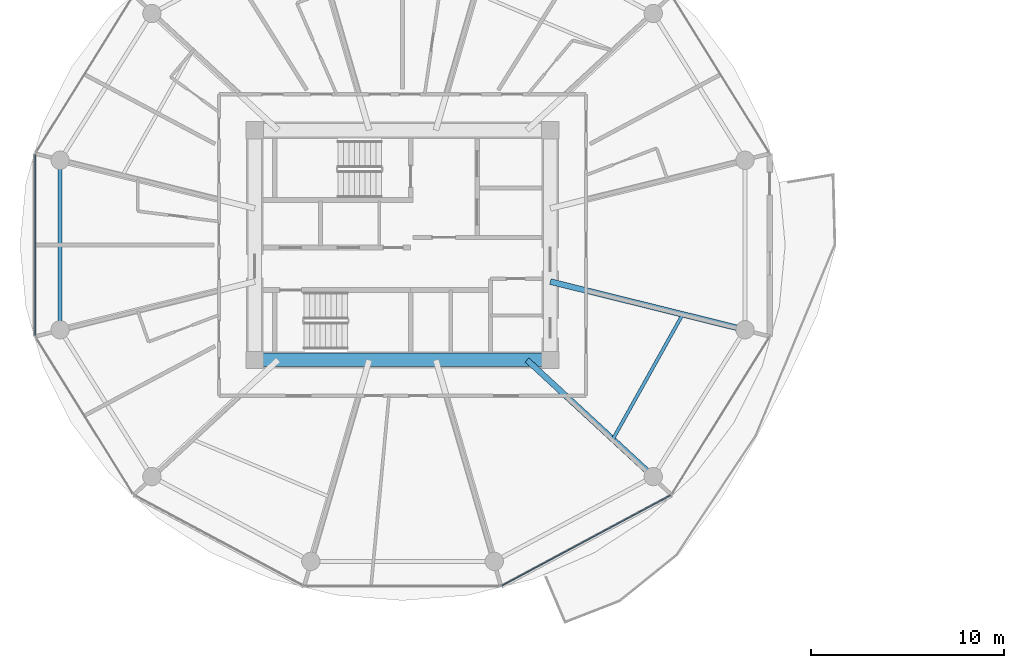
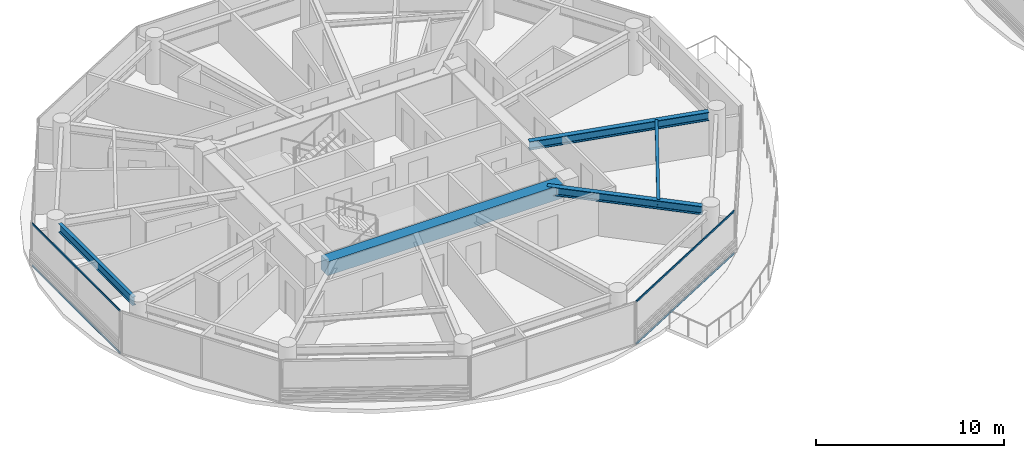
# One storey, part 3 of 27: 5 beams, 4 members, 2 elements without a shape of their own.
"""IFC4 building model written with IfcOpenShell, lengths in metres."""

from ifc_helpers import new_model, si_unit, direction, frame, origin, origin_2d, place, context, subcontext, project, spatial, rectangle, i_section, extrude, source, transform, mapped, material, layer, layer_set, material_profile, profile_set, type_object, type_shapes, element, aggregate, save


model = new_model("IFC4")

# Units and contexts
model_context = context("Model", 3, precision=1e-05, world=origin(), true_north=direction((0.0, 1.0)))
body_context = subcontext(model_context, "Body", "Model", "MODEL_VIEW")
ifc_project = project(units=[si_unit("LENGTHUNIT", "METRE"), si_unit("AREAUNIT", "SQUARE_METRE"), si_unit("VOLUMEUNIT", "CUBIC_METRE"), si_unit("PLANEANGLEUNIT", "RADIAN"), si_unit("MASSUNIT", "GRAM", prefix="KILO")], contexts=[model_context])

# Site, building, storey
site_placement = place(None, origin())
site = spatial("IfcSite", under=ifc_project, at=site_placement, CompositionType="ELEMENT")
building_placement = place(site_placement, origin())
building = spatial("IfcBuilding", under=site, at=building_placement, Name="Norrkilde Senior Care Towers", CompositionType="ELEMENT")
storey_placement = place(building_placement, frame((0.0, 0.0, 58.199951171875)))
storey = spatial("IfcBuildingStorey", under=building, at=storey_placement, Name="L17", CompositionType="ELEMENT", Elevation=58.199951171875)

# Beams
ifc_material_1 = material(Name="Concrete C60/75", Category="concrete")
ifc_material_profile_1 = material_profile(ifc_material_1, rectangle(XDim=0.699951171875, YDim=0.89990234375, at=origin_2d()), Name="RC BM 700x900")
ifc_profile_set_1 = profile_set([ifc_material_profile_1], Name="Concrete C60/75")
beam_type_1 = type_object("IfcBeamType", Name="Core Coupling Girder 700x900", PredefinedType="USERDEFINED", material=ifc_profile_set_1)
shared_shape_1 = source(origin(), body_context, "Body", "SweptSolid", [
    extrude(rectangle(XDim=0.699951171875, YDim=0.89990234375, at=origin_2d()), origin(), (0.0, 0.0, 1.0), 14.43994140625),
])
type_shapes(beam_type_1, [shared_shape_1])
beam_1_placement = place(storey_placement, frame((-35.219970703125, -5.949951171875, 2.340087890625), z_axis=(1.0, 0.0, 0.0), x_axis=(0.0, 1.0, 0.0)))
element("IfcBeam", 1, at=beam_1_placement, inside=storey, type_object=beam_type_1, Name="L17 Core W S Coupling Girder", ObjectType="GIRDER", PredefinedType="USERDEFINED", context=body_context, shape_type="MappedRepresentation", body=[
    mapped(shared_shape_1, transform((0.0, 0.0, 0.0), x_axis=(1.0, 0.0, 0.0), y_axis=(0.0, 1.0, 0.0), z_axis=(0.0, 0.0, 1.0), scale=1.0)),
])
ifc_material_2 = material(Name="Steel S355", Category="steel")
ifc_material_profile_2 = material_profile(ifc_material_2, i_section(OverallWidth=0.300048828125, OverallDepth=0.550048828125, WebThickness=0.014892578125, FlangeThickness=0.029052734375, FilletRadius=0.027099609375, at=origin_2d()), Name="HEB 550")
ifc_profile_set_2 = profile_set([ifc_material_profile_2], Name="Steel S355")
beam_type_2 = type_object("IfcBeamType", Name="Radial Floor Beam Z1 HEB550", PredefinedType="BEAM", material=ifc_profile_set_2)
shared_shape_2 = source(origin(), body_context, "Body", "SweptSolid", [
    extrude(i_section(OverallWidth=0.300048828125, OverallDepth=0.550048828125, WebThickness=0.014892578125, FlangeThickness=0.029052734375, FilletRadius=0.027099609375, at=origin_2d()), origin(), (0.0, 0.0, 1.0), 9.94384765625),
])
beam_2_placement = place(storey_placement, frame((-20.35009765625, -1.893310546875, 2.51513671875), z_axis=(0.970707425182, -0.240264634718, 0.0), x_axis=(0.240264634718, 0.970707425182, 0.0)))
element("IfcBeam", 2, at=beam_2_placement, inside=storey, type_object=beam_type_2, Name="L17 Drum W Radial Floor Beam 12", PredefinedType="BEAM", context=body_context, shape_type="MappedRepresentation", body=[
    mapped(shared_shape_2, transform((0.0, 0.0, 0.0), x_axis=(1.0, 0.0, 0.0), y_axis=(0.0, 1.0, 0.0), z_axis=(0.0, 0.0, 1.0), scale=1.0)),
])
shared_shape_3 = source(origin(), body_context, "Body", "SweptSolid", [
    extrude(i_section(OverallWidth=0.300048828125, OverallDepth=0.550048828125, WebThickness=0.014892578125, FlangeThickness=0.029052734375, FilletRadius=0.027099609375, at=origin_2d()), origin(), (0.0, 0.0, 1.0), 8.459716796875),
])
type_shapes(beam_type_2, [shared_shape_2, shared_shape_3])
beam_3_placement = place(storey_placement, frame((-21.55859375, -5.949951171875, 2.51513671875), z_axis=(0.734573269108, -0.678529374686, 0.0), x_axis=(0.678529374686, 0.734573269108, 0.0)))
element("IfcBeam", 3, at=beam_3_placement, inside=storey, type_object=beam_type_2, Name="L17 Drum W Radial Floor Beam 11", PredefinedType="BEAM", context=body_context, shape_type="MappedRepresentation", body=[
    mapped(shared_shape_3, transform((0.0, 0.0, 0.0), x_axis=(1.0, 0.0, 0.0), y_axis=(0.0, 1.0, 0.0), z_axis=(0.0, 0.0, 1.0), scale=1.0)),
])
ifc_material_profile_3 = material_profile(ifc_material_2, i_section(OverallWidth=0.2099609375, OverallDepth=0.550048828125, WebThickness=0.010986328125, FlangeThickness=0.01708984375, FilletRadius=0.02392578125, at=origin_2d()), Name="IPE 550")
ifc_profile_set_3 = profile_set([ifc_material_profile_3], Name="Steel S355")
beam_type_3 = type_object("IfcBeamType", Name="Perimeter Ring Spandrel Z1 IPE550", PredefinedType="SPANDREL", material=ifc_profile_set_3)
shared_shape_4 = source(origin(), body_context, "Body", "SweptSolid", [
    extrude(i_section(OverallWidth=0.2099609375, OverallDepth=0.550048828125, WebThickness=0.010986328125, FlangeThickness=0.01708984375, FilletRadius=0.02392578125, at=origin_2d()), origin(), (0.0, 0.0, 1.0), 7.90380859375),
])
type_shapes(beam_type_3, [shared_shape_4])
beam_4_placement = place(storey_placement, frame((-45.724853515625, 3.951904296875, 2.51513671875), z_axis=(0.0, -1.0, 0.0), x_axis=(1.0, 0.0, 0.0)))
element("IfcBeam", 4, at=beam_4_placement, inside=storey, type_object=beam_type_3, Name="L17 Drum W Perimeter Spandrel 06", PredefinedType="SPANDREL", context=body_context, shape_type="MappedRepresentation", body=[
    mapped(shared_shape_4, transform((0.0, 0.0, 0.0), x_axis=(1.0, 0.0, 0.0), y_axis=(0.0, 1.0, 0.0), z_axis=(0.0, 0.0, 1.0), scale=1.0)),
])
ifc_material_profile_4 = material_profile(ifc_material_2, i_section(OverallWidth=0.169921875, OverallDepth=0.360107421875, WebThickness=0.008056640625, FlangeThickness=0.0126953125, FilletRadius=0.01806640625, at=origin_2d()), Name="IPE 360")
ifc_profile_set_4 = profile_set([ifc_material_profile_4], Name="Steel S355")
beam_type_4 = type_object("IfcBeamType", Name="Secondary Floor Joist IPE360", PredefinedType="JOIST", material=ifc_profile_set_4)
shared_shape_5 = source(origin(), body_context, "Body", "SweptSolid", [
    extrude(i_section(OverallWidth=0.169921875, OverallDepth=0.360107421875, WebThickness=0.008056640625, FlangeThickness=0.0126953125, FilletRadius=0.01806640625, at=origin_2d()), origin(), (0.0, 0.0, 1.0), 7.40771484375),
])
type_shapes(beam_type_4, [shared_shape_5])
beam_5_placement = place(storey_placement, frame((-17.115478515625, -10.05419921875, 2.610107421875), z_axis=(0.488167754092, 0.872749817453, 0.0), x_axis=(-0.872749817453, 0.488167754092, 0.0)))
element("IfcBeam", 5, at=beam_5_placement, inside=storey, type_object=beam_type_4, Name="L17 Drum W Secondary Floor Joist 4", PredefinedType="JOIST", context=body_context, shape_type="MappedRepresentation", body=[
    mapped(shared_shape_5, transform((0.0, 0.0, 0.0), x_axis=(1.0, 0.0, 0.0), y_axis=(0.0, 1.0, 0.0), z_axis=(0.0, 0.0, 1.0), scale=1.0)),
])

# Curtain wall, members
ifc_material_3 = material(Name="Triple Low-E Insulated Glazing", Category="glass")
ifc_layer = layer(ifc_material_3, 0.199951171875)
ifc_layer_set = layer_set([ifc_layer], Name="Triple Low-E Insulated Glazing")
curtain_wall_type = type_object("IfcCurtainWallType", Name="CW2 Zone 1 Memory Care Curtain Wall", PredefinedType="NOTDEFINED", material=ifc_layer_set)
curtain_wall_1_placement = place(storey_placement, origin())
curtain_wall_1 = element("IfcCurtainWall", 6, at=curtain_wall_1_placement, inside=storey, type_object=curtain_wall_type, Name="L17 Drum W Curtain Wall 09", PredefinedType="NOTDEFINED")
ifc_material_4 = material(Name="Anodised Aluminium", Category="aluminium")
ifc_material_profile_5 = material_profile(ifc_material_4, rectangle(XDim=0.06005859375, YDim=0.1201171875, at=origin_2d()), Name="ALU TRAN 60x120")
ifc_profile_set_5 = profile_set([ifc_material_profile_5], Name="Anodised Aluminium")
member_type = type_object("IfcMemberType", Name="Curtain Wall Transom Typical 60x120", PredefinedType="USERDEFINED", material=ifc_profile_set_5)
shared_shape_6 = source(origin(), body_context, "Body", "SweptSolid", [
    extrude(rectangle(XDim=0.06005859375, YDim=0.1201171875, at=origin_2d()), origin(), (0.0, 0.0, 1.0), 9.880859375),
])
member_1_placement = place(storey_placement, frame((-14.141357421875, -12.95654296875, 0.030029296875), z_axis=(-0.881267204043, -0.47261836092, 0.0), x_axis=(0.47261836092, -0.881267204043, 0.0)))
member_1 = element("IfcMember", 7, at=member_1_placement, type_object=member_type, Name="CW-2 transom 1.1", ObjectType="TRANSOM", PredefinedType="USERDEFINED", context=body_context, shape_type="MappedRepresentation", body=[
    mapped(shared_shape_6, transform((0.0, 0.0, 0.0), x_axis=(1.0, 0.0, 0.0), y_axis=(0.0, 1.0, 0.0), z_axis=(0.0, 0.0, 1.0), scale=1.0)),
])
member_2_placement = place(storey_placement, frame((-14.141357421875, -12.95654296875, 2.760009765625), z_axis=(-0.881267204043, -0.47261836092, 0.0), x_axis=(0.47261836092, -0.881267204043, 0.0)))
member_2 = element("IfcMember", 8, at=member_2_placement, type_object=member_type, Name="CW-2 transom 1.2", ObjectType="TRANSOM", PredefinedType="USERDEFINED", context=body_context, shape_type="MappedRepresentation", body=[
    mapped(shared_shape_6, transform((0.0, 0.0, 0.0), x_axis=(1.0, 0.0, 0.0), y_axis=(0.0, 1.0, 0.0), z_axis=(0.0, 0.0, 1.0), scale=1.0)),
])
aggregate(curtain_wall_1, [member_1, member_2])

curtain_wall_2_placement = place(storey_placement, origin())
curtain_wall_2 = element("IfcCurtainWall", 9, at=curtain_wall_2_placement, inside=storey, type_object=curtain_wall_type, Name="L17 Drum W Curtain Wall 05", PredefinedType="NOTDEFINED")
shared_shape_7 = source(origin(), body_context, "Body", "SweptSolid", [
    extrude(rectangle(XDim=0.06005859375, YDim=0.1201171875, at=origin_2d()), origin(), (0.0, 0.0, 1.0), 9.33251953125),
])
type_shapes(member_type, [shared_shape_6, shared_shape_7])
member_3_placement = place(storey_placement, frame((-47.009521484375, -4.666259765625, 0.030029296875), z_axis=(0.0, 1.0, 0.0), x_axis=(-1.0, 0.0, 0.0)))
member_3 = element("IfcMember", 10, at=member_3_placement, type_object=member_type, Name="CW-2 transom 1.1", ObjectType="TRANSOM", PredefinedType="USERDEFINED", context=body_context, shape_type="MappedRepresentation", body=[
    mapped(shared_shape_7, transform((0.0, 0.0, 0.0), x_axis=(1.0, 0.0, 0.0), y_axis=(0.0, 1.0, 0.0), z_axis=(0.0, 0.0, 1.0), scale=1.0)),
])
member_4_placement = place(storey_placement, frame((-47.009521484375, -4.666259765625, 2.760009765625), z_axis=(0.0, 1.0, 0.0), x_axis=(-1.0, 0.0, 0.0)))
member_4 = element("IfcMember", 11, at=member_4_placement, type_object=member_type, Name="CW-2 transom 1.2", ObjectType="TRANSOM", PredefinedType="USERDEFINED", context=body_context, shape_type="MappedRepresentation", body=[
    mapped(shared_shape_7, transform((0.0, 0.0, 0.0), x_axis=(1.0, 0.0, 0.0), y_axis=(0.0, 1.0, 0.0), z_axis=(0.0, 0.0, 1.0), scale=1.0)),
])
aggregate(curtain_wall_2, [member_3, member_4])

save(model, "model.ifc")
